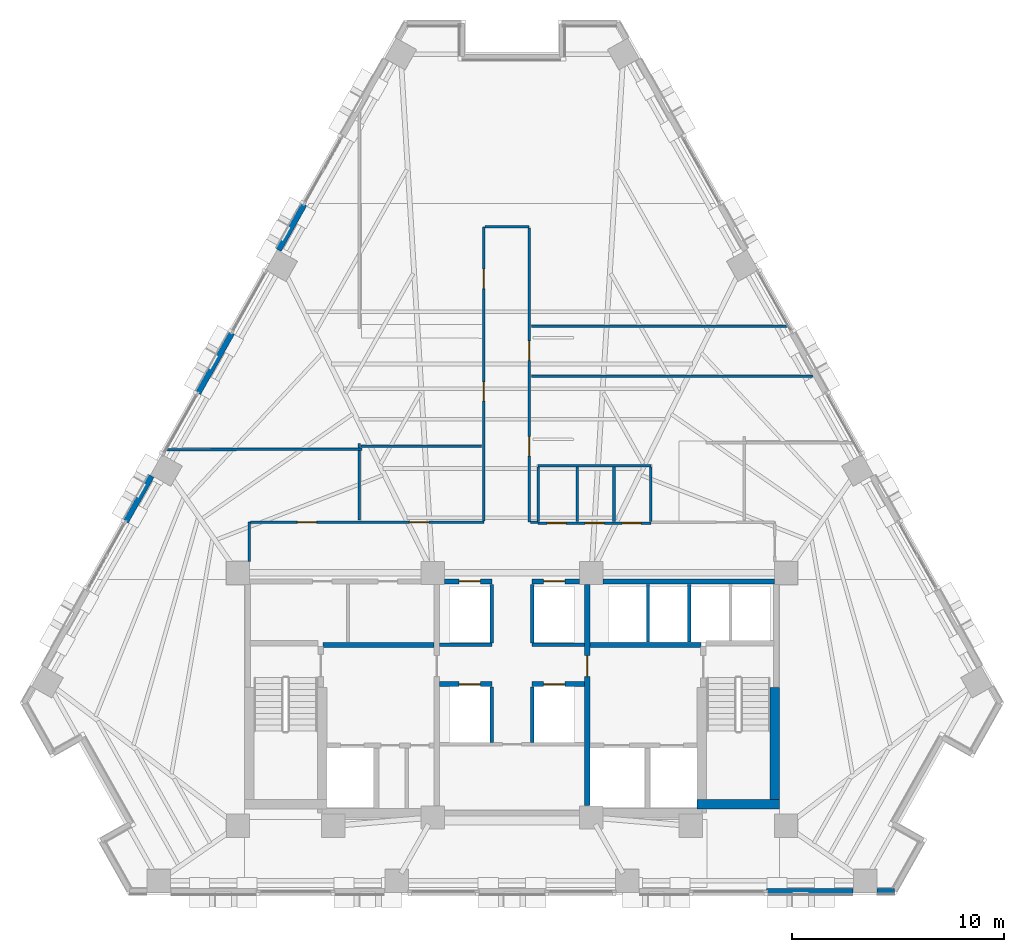
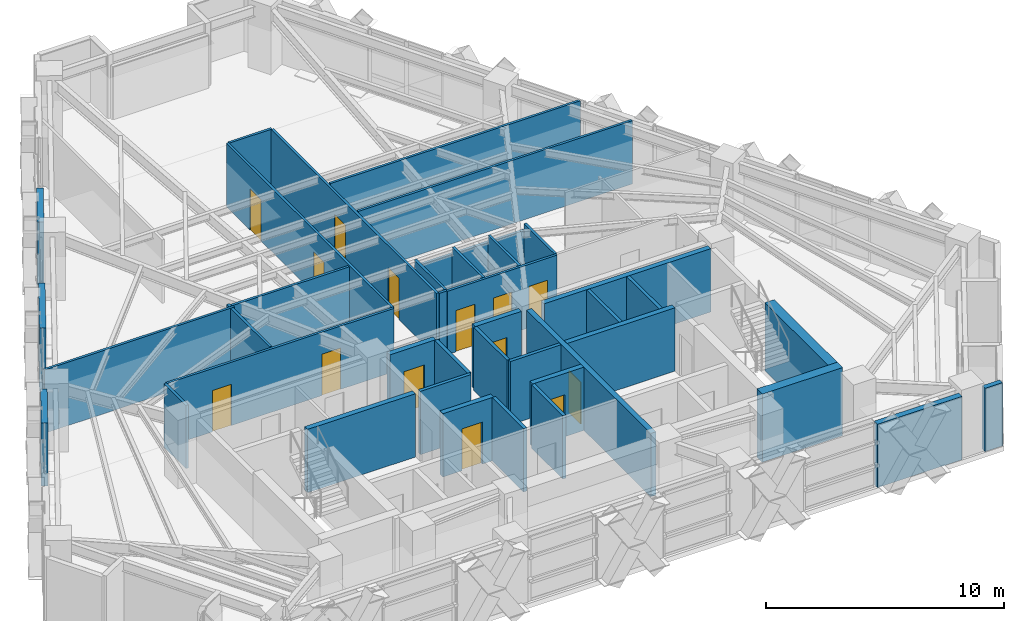
# One storey, part 8 of 14: 41 walls, 14 doors, 14 openings.
"""IFC4 building model written with IfcOpenShell, lengths in metres."""

from ifc_helpers import new_model, si_unit, direction, frame, frame_2d, origin, place, context, subcontext, project, spatial, rectangle, extrude, material, layer, layer_set, type_object, element, fill, save


model = new_model("IFC4")

# Units and contexts
model_context = context("Model", 3, precision=1e-05, world=origin(), true_north=direction((0.0, 1.0)))
body_context = subcontext(model_context, "Body", "Model", "MODEL_VIEW")
ifc_project = project(units=[si_unit("LENGTHUNIT", "METRE"), si_unit("AREAUNIT", "SQUARE_METRE"), si_unit("VOLUMEUNIT", "CUBIC_METRE"), si_unit("PLANEANGLEUNIT", "RADIAN"), si_unit("MASSUNIT", "GRAM", prefix="KILO")], contexts=[model_context])

# Site, building, storey
site_placement = place(None, origin())
site = spatial("IfcSite", under=ifc_project, at=site_placement, CompositionType="ELEMENT")
building_placement = place(site_placement, origin())
building = spatial("IfcBuilding", under=site, at=building_placement, Name="Quenlor Broadcast Tower", CompositionType="ELEMENT")
storey_placement = place(building_placement, frame((0.0, 0.0, 102.0)))
storey = spatial("IfcBuildingStorey", under=building, at=storey_placement, Name="L27", CompositionType="ELEMENT", Elevation=102.0)

# Walls
ifc_material_1 = material(Name="Concrete C50/60", Category="concrete")
ifc_layer_1 = layer(ifc_material_1, 0.449951171875)
ifc_layer_set_1 = layer_set([ifc_layer_1], Name="Core Concrete C50/60 Shear Wall 450")
wall_type_1 = type_object("IfcWallType", Name="Core Concrete C50/60 Shear Wall 450", PredefinedType="SHEAR", material=ifc_layer_set_1)
wall_1_placement = place(storey_placement, frame((8.75, -15.72509765625, 0.0), z_axis=(0.0, 0.0, 1.0), x_axis=(1.0, 0.0, 0.0)))
element("IfcWall", 1, at=wall_1_placement, inside=storey, type_object=wall_type_1, Name="L27 Core Shear Wall WS-E2", PredefinedType="SHEAR", context=body_context, shape_type="SweptSolid", body=[
    extrude(rectangle(XDim=3.89990234375, YDim=0.449951171875, at=frame_2d((1.949951171875, 0.0))), origin(), (0.0, 0.0, 1.0), 3.5),
])
wall_2_placement = place(storey_placement, frame((12.425048828125, -15.72509765625, 0.0), z_axis=(0.0, 0.0, 1.0), x_axis=(0.0, 1.0, 0.0)))
element("IfcWall", 2, at=wall_2_placement, inside=storey, type_object=wall_type_1, Name="L27 Core Shear Wall WF-E", PredefinedType="SHEAR", context=body_context, shape_type="SweptSolid", body=[
    extrude(rectangle(XDim=5.525146484375, YDim=0.449951171875, at=frame_2d((2.7626953125, 0.0))), origin(), (0.0, 0.0, 1.0), 3.5),
])
ifc_material_2 = material(Name="Concrete C40/50", Category="concrete")
ifc_layer_2 = layer(ifc_material_2, 0.25)
ifc_layer_set_2 = layer_set([ifc_layer_2], Name="Fire Rated Concrete C40/50 Core Wall 250")
wall_type_2 = type_object("IfcWallType", Name="Fire Rated Concrete C40/50 Core Wall 250", PredefinedType="PARTITIONING", material=ifc_layer_set_2)
for number, where, z_axis, x_axis, name in (
    (3, (-8.919921875, -8.199951171875, 0.0), (0.0, 0.0, 1.0), (1.0, 0.0, 0.0), "L27 Interior Wall CW-FFW-N"),
    (4, (3.679931640625, -8.199951171875, 0.0), (0.0, 0.0, 1.0), (1.0, 0.0, 0.0), "L27 Interior Wall CW-FFE-N"),
):
    element("IfcWall", number, at=place(storey_placement, frame(where, z_axis=z_axis, x_axis=x_axis)), inside=storey, type_object=wall_type_2, Name=name, PredefinedType="PARTITIONING", context=body_context, shape_type="SweptSolid", body=[
        extrude(rectangle(XDim=5.239990234375, YDim=0.25, at=frame_2d((2.6201171875, 0.0))), origin(), (0.0, 0.0, 1.0), 3.25),
    ])

# Wall, opening, door
wall_3_placement = place(storey_placement, frame((3.550048828125, -15.798095703125, 0.0), z_axis=(0.0, 0.0, 1.0), x_axis=(0.0, 1.0, 0.0)))
wall_3 = element("IfcWall", 5, at=wall_3_placement, inside=storey, type_object=wall_type_2, Name="L27 Interior Wall CW-FFE-W", PredefinedType="PARTITIONING", context=body_context, shape_type="SweptSolid", body=[
    extrude(rectangle(XDim=10.446044921875, YDim=0.25, at=frame_2d((5.22314453125, 0.0))), origin(), (0.0, 0.0, 1.0), 3.25),
])
opening_1_placement = place(wall_3_placement, frame((6.097900390625, 0.0, 0.0)))
opening_1 = element("IfcOpeningElement", 6, at=opening_1_placement, cuts=wall_3, Name="Opening FD-2", PredefinedType="OPENING", context=body_context, shape_type="SweptSolid", body=[
    extrude(rectangle(XDim=1.0, YDim=2.14990234375, at=frame_2d((0.5, 1.074951171875))), frame((0.0, 0.135009765625, 0.0), z_axis=(0.0, -1.0, 0.0), x_axis=(1.0, 0.0, 0.0)), (0.0, 0.0, 1.0), 0.27001953125),
])
ifc_material_3 = material(Name="Fire Rated Glazed Steel Door", Category="steel")
door_type_1 = type_object("IfcDoorType", Name="Firefighting Lobby Smoke Door 1000x2150", OperationType="NOTDEFINED", PredefinedType="DOOR", material=ifc_material_3)
door_1_placement = place(opening_1_placement, origin())
door_1 = element("IfcDoor", 7, at=door_1_placement, inside=storey, type_object=door_type_1, Name="L27 Door DR-FFLE", OperationType="SINGLE_SWING_LEFT", OverallHeight=2.14990234375, OverallWidth=1.0, PredefinedType="DOOR", context=body_context, shape_type="SweptSolid", body=[
    extrude(rectangle(XDim=1.0, YDim=2.14990234375, at=frame_2d((0.5, 1.074951171875))), frame((0.0, 0.02490234375, 0.0), z_axis=(0.0, -1.0, 0.0), x_axis=(1.0, 0.0, 0.0)), (0.0, 0.0, 1.0), 0.050048828125),
])
fill(opening_1, door_1)

# Wall
wall_4_placement = place(storey_placement, frame((4.302001953125, -5.199951171875, 0.0), z_axis=(0.0, 0.0, 1.0), x_axis=(1.0, 0.0, 0.0)))
element("IfcWall", 8, at=wall_4_placement, inside=storey, type_object=wall_type_2, Name="L27 Interior Wall CW-N-E", PredefinedType="PARTITIONING", context=body_context, shape_type="SweptSolid", body=[
    extrude(rectangle(XDim=8.095947265625, YDim=0.25, at=frame_2d((4.0478515625, 0.0))), origin(), (0.0, 0.0, 1.0), 3.25),
])

# Wall, opening, door
wall_5_placement = place(storey_placement, frame((-3.197998046875, -5.199951171875, 0.0), z_axis=(0.0, 0.0, 1.0), x_axis=(1.0, 0.0, 0.0)))
wall_5 = element("IfcWall", 9, at=wall_5_placement, inside=storey, type_object=wall_type_2, Name="L27 Interior Wall CW-N-M1", PredefinedType="PARTITIONING", context=body_context, shape_type="SweptSolid", body=[
    extrude(rectangle(XDim=2.248046875, YDim=0.25, at=frame_2d((1.1240234375, 0.0))), origin(), (0.0, 0.0, 1.0), 3.25),
])
opening_2_placement = place(wall_5_placement, frame((0.697998046875, 0.0, 0.0)))
opening_2 = element("IfcOpeningElement", 10, at=opening_2_placement, cuts=wall_5, Name="Opening LD-PL-M1", PredefinedType="OPENING", context=body_context, shape_type="SweptSolid", body=[
    extrude(rectangle(XDim=1.0, YDim=2.14990234375, at=frame_2d((0.5, 1.074951171875))), frame((0.0, 0.135009765625, 0.0), z_axis=(0.0, -1.0, 0.0), x_axis=(1.0, 0.0, 0.0)), (0.0, 0.0, 1.0), 0.27001953125),
])
ifc_material_4 = material(Name="Brushed Stainless Steel", Category="steel")
door_type_2 = type_object("IfcDoorType", Name="Passenger Lift Sliding Landing Door 1000x2150", OperationType="NOTDEFINED", PredefinedType="DOOR", material=ifc_material_4)
door_2_placement = place(opening_2_placement, origin())
door_2 = element("IfcDoor", 11, at=door_2_placement, inside=storey, type_object=door_type_2, Name="L27 Door LD-PL-M1", OperationType="SLIDING_TO_LEFT", OverallHeight=2.14990234375, OverallWidth=1.0, PredefinedType="DOOR", context=body_context, shape_type="SweptSolid", body=[
    extrude(rectangle(XDim=1.0, YDim=2.14990234375, at=frame_2d((0.5, 1.074951171875))), frame((0.0, 0.02490234375, 0.0), z_axis=(0.0, -1.0, 0.0), x_axis=(1.0, 0.0, 0.0)), (0.0, 0.0, 1.0), 0.050048828125),
])
fill(opening_2, door_2)

wall_6_placement = place(storey_placement, frame((0.949951171875, -5.199951171875, 0.0), z_axis=(0.0, 0.0, 1.0), x_axis=(1.0, 0.0, 0.0)))
wall_6 = element("IfcWall", 12, at=wall_6_placement, inside=storey, type_object=wall_type_2, Name="L27 Interior Wall CW-N-M2", PredefinedType="PARTITIONING", context=body_context, shape_type="SweptSolid", body=[
    extrude(rectangle(XDim=2.248046875, YDim=0.25, at=frame_2d((1.1240234375, 0.0))), origin(), (0.0, 0.0, 1.0), 3.25),
])
opening_3_placement = place(wall_6_placement, frame((0.550048828125, 0.0, 0.0)))
opening_3 = element("IfcOpeningElement", 13, at=opening_3_placement, cuts=wall_6, Name="Opening LD-PL-M2", PredefinedType="OPENING", context=body_context, shape_type="SweptSolid", body=[
    extrude(rectangle(XDim=1.0, YDim=2.14990234375, at=frame_2d((0.5, 1.074951171875))), frame((0.0, 0.135009765625, 0.0), z_axis=(0.0, -1.0, 0.0), x_axis=(1.0, 0.0, 0.0)), (0.0, 0.0, 1.0), 0.27001953125),
])
door_3_placement = place(opening_3_placement, origin())
door_3 = element("IfcDoor", 14, at=door_3_placement, inside=storey, type_object=door_type_2, Name="L27 Door LD-PL-M2", OperationType="SLIDING_TO_RIGHT", OverallHeight=2.14990234375, OverallWidth=1.0, PredefinedType="DOOR", context=body_context, shape_type="SweptSolid", body=[
    extrude(rectangle(XDim=1.0, YDim=2.14990234375, at=frame_2d((0.5, 1.074951171875))), frame((0.0, 0.02490234375, 0.0), z_axis=(0.0, -1.0, 0.0), x_axis=(1.0, 0.0, 0.0)), (0.0, 0.0, 1.0), 0.050048828125),
])
fill(opening_3, door_3)

wall_7_placement = place(storey_placement, frame((-3.419921875, -10.050048828125, 0.0), z_axis=(0.0, 0.0, 1.0), x_axis=(1.0, 0.0, 0.0)))
wall_7 = element("IfcWall", 15, at=wall_7_placement, inside=storey, type_object=wall_type_2, Name="L27 Interior Wall CW-MS-N1", PredefinedType="PARTITIONING", context=body_context, shape_type="SweptSolid", body=[
    extrude(rectangle(XDim=2.469970703125, YDim=0.25, at=frame_2d((1.23486328125, 0.0))), origin(), (0.0, 0.0, 1.0), 3.25),
])
opening_4_placement = place(wall_7_placement, frame((0.919921875, 0.0, 0.0)))
opening_4 = element("IfcOpeningElement", 16, at=opening_4_placement, cuts=wall_7, Name="Opening LD-PL-M3", PredefinedType="OPENING", context=body_context, shape_type="SweptSolid", body=[
    extrude(rectangle(XDim=1.0, YDim=2.14990234375, at=frame_2d((0.5, 1.074951171875))), frame((0.0, 0.135009765625, 0.0), z_axis=(0.0, -1.0, 0.0), x_axis=(1.0, 0.0, 0.0)), (0.0, 0.0, 1.0), 0.27001953125),
])
door_4_placement = place(opening_4_placement, origin())
door_4 = element("IfcDoor", 17, at=door_4_placement, inside=storey, type_object=door_type_2, Name="L27 Door LD-PL-M3", OperationType="SLIDING_TO_LEFT", OverallHeight=2.14990234375, OverallWidth=1.0, PredefinedType="DOOR", context=body_context, shape_type="SweptSolid", body=[
    extrude(rectangle(XDim=1.0, YDim=2.14990234375, at=frame_2d((0.5, 1.074951171875))), frame((0.0, 0.02490234375, 0.0), z_axis=(0.0, -1.0, 0.0), x_axis=(1.0, 0.0, 0.0)), (0.0, 0.0, 1.0), 0.050048828125),
])
fill(opening_4, door_4)

wall_8_placement = place(storey_placement, frame((0.949951171875, -10.050048828125, 0.0), z_axis=(0.0, 0.0, 1.0), x_axis=(1.0, 0.0, 0.0)))
wall_8 = element("IfcWall", 18, at=wall_8_placement, inside=storey, type_object=wall_type_2, Name="L27 Interior Wall CW-MS-N2", PredefinedType="PARTITIONING", context=body_context, shape_type="SweptSolid", body=[
    extrude(rectangle(XDim=2.469970703125, YDim=0.25, at=frame_2d((1.23486328125, 0.0))), origin(), (0.0, 0.0, 1.0), 3.25),
])
opening_5_placement = place(wall_8_placement, frame((0.550048828125, 0.0, 0.0)))
opening_5 = element("IfcOpeningElement", 19, at=opening_5_placement, cuts=wall_8, Name="Opening LD-PL-M4", PredefinedType="OPENING", context=body_context, shape_type="SweptSolid", body=[
    extrude(rectangle(XDim=1.0, YDim=2.14990234375, at=frame_2d((0.5, 1.074951171875))), frame((0.0, 0.135009765625, 0.0), z_axis=(0.0, -1.0, 0.0), x_axis=(1.0, 0.0, 0.0)), (0.0, 0.0, 1.0), 0.27001953125),
])
door_5_placement = place(opening_5_placement, origin())
door_5 = element("IfcDoor", 20, at=door_5_placement, inside=storey, type_object=door_type_2, Name="L27 Door LD-PL-M4", OperationType="SLIDING_TO_RIGHT", OverallHeight=2.14990234375, OverallWidth=1.0, PredefinedType="DOOR", context=body_context, shape_type="SweptSolid", body=[
    extrude(rectangle(XDim=1.0, YDim=2.14990234375, at=frame_2d((0.5, 1.074951171875))), frame((0.0, 0.02490234375, 0.0), z_axis=(0.0, -1.0, 0.0), x_axis=(1.0, 0.0, 0.0)), (0.0, 0.0, 1.0), 0.050048828125),
])
fill(opening_5, door_5)

# Walls
ifc_material_5 = material(Name="Gypsum Fireboard Partition", Category="other")
ifc_layer_3 = layer(ifc_material_5, 0.159912109375)
ifc_layer_set_3 = layer_set([ifc_layer_3], Name="Fire Rated Shaft and Corridor Partition 160")
wall_type_3 = type_object("IfcWallType", Name="Fire Rated Shaft and Corridor Partition 160", PredefinedType="PARTITIONING", material=ifc_layer_set_3)
for number, where, z_axis, x_axis, name in (
    (21, (6.425048828125, -8.072998046875, 0.0), (0.0, 0.0, 1.0), (0.0, 1.0, 0.0), "L27 Interior Wall CW-PLH-D1"),
    (22, (8.375, -8.072998046875, 0.0), (0.0, 0.0, 1.0), (0.0, 1.0, 0.0), "L27 Interior Wall CW-PLH-D2"),
):
    element("IfcWall", number, at=place(storey_placement, frame(where, z_axis=z_axis, x_axis=x_axis)), inside=storey, type_object=wall_type_3, Name=name, PredefinedType="PARTITIONING", context=body_context, shape_type="SweptSolid", body=[
        extrude(rectangle(XDim=2.73291015625, YDim=0.159912109375, at=frame_2d((1.366455078125, 0.0))), origin(), (0.0, 0.0, 1.0), 3.25),
    ])
for number, where, z_axis, x_axis, name in (
    (23, (-0.949951171875, -8.1201171875, 0.0), (0.0, 0.0, 1.0), (0.0, 1.0, 0.0), "L27 Interior Wall CW-CCRP-W"),
    (24, (0.949951171875, -8.1201171875, 0.0), (0.0, 0.0, 1.0), (0.0, 1.0, 0.0), "L27 Interior Wall CW-CCRP-E"),
):
    element("IfcWall", number, at=place(storey_placement, frame(where, z_axis=z_axis, x_axis=x_axis)), inside=storey, type_object=wall_type_3, Name=name, PredefinedType="PARTITIONING", context=body_context, shape_type="SweptSolid", body=[
        extrude(rectangle(XDim=2.780029296875, YDim=0.159912109375, at=frame_2d((1.39013671875, 0.0))), origin(), (0.0, 0.0, 1.0), 3.25),
    ])
for number, where, z_axis, x_axis, name in (
    (25, (-3.419921875, -8.199951171875, 0.0), (0.0, 0.0, 1.0), (1.0, 0.0, 0.0), "L27 Interior Wall CW-M-BACK1"),
    (26, (0.949951171875, -8.199951171875, 0.0), (0.0, 0.0, 1.0), (1.0, 0.0, 0.0), "L27 Interior Wall CW-M-BACK2"),
):
    element("IfcWall", number, at=place(storey_placement, frame(where, z_axis=z_axis, x_axis=x_axis)), inside=storey, type_object=wall_type_3, Name=name, PredefinedType="PARTITIONING", context=body_context, shape_type="SweptSolid", body=[
        extrude(rectangle(XDim=2.469970703125, YDim=0.159912109375, at=frame_2d((1.23486328125, 0.0))), origin(), (0.0, 0.0, 1.0), 3.25),
    ])
for number, where, z_axis, x_axis, name in (
    (27, (-0.949951171875, -12.818115234375, 0.0), (0.0, 0.0, 1.0), (0.0, 1.0, 0.0), "L27 Interior Wall CW-MS-W"),
    (28, (0.949951171875, -12.818115234375, 0.0), (0.0, 0.0, 1.0), (0.0, 1.0, 0.0), "L27 Interior Wall CW-MS-E"),
):
    element("IfcWall", number, at=place(storey_placement, frame(where, z_axis=z_axis, x_axis=x_axis)), inside=storey, type_object=wall_type_3, Name=name, PredefinedType="PARTITIONING", context=body_context, shape_type="SweptSolid", body=[
        extrude(rectangle(XDim=2.63818359375, YDim=0.159912109375, at=frame_2d((1.319091796875, 0.0))), origin(), (0.0, 0.0, 1.0), 3.25),
    ])

# Wall, openings, doors
ifc_material_6 = material(Name="Gypsum Plasterboard Partition", Category="other")
ifc_layer_4 = layer(ifc_material_6, 0.1201171875)
ifc_layer_set_4 = layer_set([ifc_layer_4], Name="Standard Office Partition 120")
wall_type_4 = type_object("IfcWallType", Name="Standard Office Partition 120", PredefinedType="PARTITIONING", material=ifc_layer_set_4)
wall_9_placement = place(storey_placement, frame((1.239990234375, -2.43994140625, 0.0), z_axis=(0.0, 0.0, 1.0), x_axis=(1.0, 0.0, 0.0)))
wall_9 = element("IfcWall", 29, at=wall_9_placement, inside=storey, type_object=wall_type_4, Name="L27 Interior Wall PW-WC-S", PredefinedType="PARTITIONING", context=body_context, shape_type="SweptSolid", body=[
    extrude(rectangle(XDim=5.320068359375, YDim=0.1201171875, at=frame_2d((2.66015625, 0.0))), origin(), (0.0, 0.0, 1.0), 3.25),
])
opening_6_placement = place(wall_9_placement, frame((0.419921875, 0.0, 0.0)))
opening_6 = element("IfcOpeningElement", 30, at=opening_6_placement, cuts=wall_9, Name="Opening ID-3", PredefinedType="OPENING", context=body_context, shape_type="SweptSolid", body=[
    extrude(rectangle(XDim=0.89990234375, YDim=2.1201171875, at=frame_2d((0.449951171875, 1.06005859375))), frame((0.0, 0.070068359375, 0.0), z_axis=(0.0, -1.0, 0.0), x_axis=(1.0, 0.0, 0.0)), (0.0, 0.0, 1.0), 0.14013671875),
])
opening_7_placement = place(wall_9_placement, frame((2.219970703125, 0.0, 0.0)))
opening_7 = element("IfcOpeningElement", 31, at=opening_7_placement, cuts=wall_9, Name="Opening ID-3", PredefinedType="OPENING", context=body_context, shape_type="SweptSolid", body=[
    extrude(rectangle(XDim=0.89990234375, YDim=2.1201171875, at=frame_2d((0.449951171875, 1.06005859375))), frame((0.0, 0.070068359375, 0.0), z_axis=(0.0, -1.0, 0.0), x_axis=(1.0, 0.0, 0.0)), (0.0, 0.0, 1.0), 0.14013671875),
])
opening_8_placement = place(wall_9_placement, frame((3.9599609375, 0.0, 0.0)))
opening_8 = element("IfcOpeningElement", 32, at=opening_8_placement, cuts=wall_9, Name="Opening ID-3", PredefinedType="OPENING", context=body_context, shape_type="SweptSolid", body=[
    extrude(rectangle(XDim=0.89990234375, YDim=2.1201171875, at=frame_2d((0.449951171875, 1.06005859375))), frame((0.0, 0.070068359375, 0.0), z_axis=(0.0, -1.0, 0.0), x_axis=(1.0, 0.0, 0.0)), (0.0, 0.0, 1.0), 0.14013671875),
])
ifc_material_7 = material(Name="Moisture Resistant Timber Oak", Category="wood")
door_type_3 = type_object("IfcDoorType", Name="Washroom Privacy Door 900x2120", OperationType="NOTDEFINED", PredefinedType="DOOR", material=ifc_material_7)
door_6_placement = place(opening_6_placement, origin())
door_6 = element("IfcDoor", 33, at=door_6_placement, inside=storey, type_object=door_type_3, Name="L27 Door DR-AWC", OperationType="SINGLE_SWING_LEFT", OverallHeight=2.1201171875, OverallWidth=0.89990234375, PredefinedType="DOOR", context=body_context, shape_type="SweptSolid", body=[
    extrude(rectangle(XDim=0.89990234375, YDim=2.1201171875, at=frame_2d((0.449951171875, 1.06005859375))), frame((0.0, 0.02490234375, 0.0), z_axis=(0.0, -1.0, 0.0), x_axis=(1.0, 0.0, 0.0)), (0.0, 0.0, 1.0), 0.050048828125),
])
fill(opening_6, door_6)
door_7_placement = place(opening_7_placement, origin())
door_7 = element("IfcDoor", 34, at=door_7_placement, inside=storey, type_object=door_type_3, Name="L27 Door DR-MWC", OperationType="SINGLE_SWING_LEFT", OverallHeight=2.1201171875, OverallWidth=0.89990234375, PredefinedType="DOOR", context=body_context, shape_type="SweptSolid", body=[
    extrude(rectangle(XDim=0.89990234375, YDim=2.1201171875, at=frame_2d((0.449951171875, 1.06005859375))), frame((0.0, 0.02490234375, 0.0), z_axis=(0.0, -1.0, 0.0), x_axis=(1.0, 0.0, 0.0)), (0.0, 0.0, 1.0), 0.050048828125),
])
fill(opening_7, door_7)
door_8_placement = place(opening_8_placement, origin())
door_8 = element("IfcDoor", 35, at=door_8_placement, inside=storey, type_object=door_type_3, Name="L27 Door DR-FWC", OperationType="SINGLE_SWING_RIGHT", OverallHeight=2.1201171875, OverallWidth=0.89990234375, PredefinedType="DOOR", context=body_context, shape_type="SweptSolid", body=[
    extrude(rectangle(XDim=0.89990234375, YDim=2.1201171875, at=frame_2d((0.449951171875, 1.06005859375))), frame((0.0, 0.02490234375, 0.0), z_axis=(0.0, -1.0, 0.0), x_axis=(1.0, 0.0, 0.0)), (0.0, 0.0, 1.0), 0.050048828125),
])
fill(opening_8, door_8)

# Walls
wall_10_placement = place(storey_placement, frame((1.239990234375, 0.260009765625, 0.0), z_axis=(0.0, 0.0, 1.0), x_axis=(1.0, 0.0, 0.0)))
element("IfcWall", 36, at=wall_10_placement, inside=storey, type_object=wall_type_4, Name="L27 Interior Wall PW-WC-N", PredefinedType="PARTITIONING", context=body_context, shape_type="SweptSolid", body=[
    extrude(rectangle(XDim=5.320068359375, YDim=0.1201171875, at=frame_2d((2.66015625, 0.0))), origin(), (0.0, 0.0, 1.0), 2.891357421875),
])
for number, where, z_axis, x_axis, name in (
    (37, (1.239990234375, -2.3779296875, 0.0), (0.0, 0.0, 1.0), (0.0, 1.0, 0.0), "L27 Interior Wall PW-WC-W"),
    (38, (3.080078125, -2.3779296875, 0.0), (0.0, 0.0, 1.0), (0.0, 1.0, 0.0), "L27 Interior Wall PW-WC-M1"),
    (39, (4.820068359375, -2.3779296875, 0.0), (0.0, 0.0, 1.0), (0.0, 1.0, 0.0), "L27 Interior Wall PW-WC-M2"),
    (40, (6.56005859375, -2.3779296875, 0.0), (0.0, 0.0, 1.0), (0.0, 1.0, 0.0), "L27 Interior Wall PW-WC-E"),
):
    element("IfcWall", number, at=place(storey_placement, frame(where, z_axis=z_axis, x_axis=x_axis)), inside=storey, type_object=wall_type_4, Name=name, PredefinedType="PARTITIONING", context=body_context, shape_type="SweptSolid", body=[
        extrude(rectangle(XDim=2.575927734375, YDim=0.1201171875, at=frame_2d((1.2880859375, 0.0))), origin(), (0.0, 0.0, 1.0), 3.25),
    ])
wall_11_placement = place(storey_placement, frame((-12.409912109375, -4.248046875, 0.0), z_axis=(0.0, 0.0, 1.0), x_axis=(0.0, 1.0, 0.0)))
element("IfcWall", 41, at=wall_11_placement, inside=storey, type_object=wall_type_4, Name="L27 Interior Wall PW-CR-01", PredefinedType="PARTITIONING", context=body_context, shape_type="SweptSolid", body=[
    extrude(rectangle(XDim=1.84814453125, YDim=0.1201171875, at=frame_2d((0.924072265625, 0.0))), origin(), (0.0, 0.0, 1.0), 3.25),
])

# Wall, openings, doors
wall_12_placement = place(storey_placement, frame((-12.347900390625, -2.39990234375, 0.0), z_axis=(0.0, 0.0, 1.0), x_axis=(1.0, 0.0, 0.0)))
wall_12 = element("IfcWall", 42, at=wall_12_placement, inside=storey, type_object=wall_type_4, Name="L27 Interior Wall PW-CR-02", PredefinedType="PARTITIONING", context=body_context, shape_type="SweptSolid", body=[
    extrude(rectangle(XDim=11.017822265625, YDim=0.1201171875, at=frame_2d((5.5087890625, 0.0))), origin(), (0.0, 0.0, 1.0), 3.25),
])
opening_9_placement = place(wall_12_placement, frame((7.50390625, 0.0, 0.0)))
opening_9 = element("IfcOpeningElement", 43, at=opening_9_placement, cuts=wall_12, Name="Opening ID-1", PredefinedType="OPENING", context=body_context, shape_type="SweptSolid", body=[
    extrude(rectangle(XDim=0.919921875, YDim=2.1201171875, at=frame_2d((0.4599609375, 1.06005859375))), frame((0.0, 0.070068359375, 0.0), z_axis=(0.0, -1.0, 0.0), x_axis=(1.0, 0.0, 0.0)), (0.0, 0.0, 1.0), 0.14013671875),
])
opening_10_placement = place(wall_12_placement, frame((2.201904296875, 0.0, 0.0)))
opening_10 = element("IfcOpeningElement", 44, at=opening_10_placement, cuts=wall_12, Name="Opening ID-1", PredefinedType="OPENING", context=body_context, shape_type="SweptSolid", body=[
    extrude(rectangle(XDim=0.919921875, YDim=2.1201171875, at=frame_2d((0.4599609375, 1.06005859375))), frame((0.0, 0.070068359375, 0.0), z_axis=(0.0, -1.0, 0.0), x_axis=(1.0, 0.0, 0.0)), (0.0, 0.0, 1.0), 0.14013671875),
])
ifc_material_8 = material(Name="Solid Core Timber Oak", Category="wood")
door_type_4 = type_object("IfcDoorType", Name="Single Leaf Timber Office Door 920x2120", OperationType="NOTDEFINED", PredefinedType="DOOR", material=ifc_material_8)
door_9_placement = place(opening_9_placement, origin())
door_9 = element("IfcDoor", 45, at=door_9_placement, inside=storey, type_object=door_type_4, Name="L27 Door DR-RM06", OperationType="SINGLE_SWING_RIGHT", OverallHeight=2.1201171875, OverallWidth=0.919921875, PredefinedType="DOOR", context=body_context, shape_type="SweptSolid", body=[
    extrude(rectangle(XDim=0.919921875, YDim=2.1201171875, at=frame_2d((0.4599609375, 1.06005859375))), frame((0.0, 0.02490234375, 0.0), z_axis=(0.0, -1.0, 0.0), x_axis=(1.0, 0.0, 0.0)), (0.0, 0.0, 1.0), 0.050048828125),
])
fill(opening_9, door_9)
door_10_placement = place(opening_10_placement, origin())
door_10 = element("IfcDoor", 46, at=door_10_placement, inside=storey, type_object=door_type_4, Name="L27 Door DR-RM08", OperationType="SINGLE_SWING_RIGHT", OverallHeight=2.1201171875, OverallWidth=0.919921875, PredefinedType="DOOR", context=body_context, shape_type="SweptSolid", body=[
    extrude(rectangle(XDim=0.919921875, YDim=2.1201171875, at=frame_2d((0.4599609375, 1.06005859375))), frame((0.0, 0.02490234375, 0.0), z_axis=(0.0, -1.0, 0.0), x_axis=(1.0, 0.0, 0.0)), (0.0, 0.0, 1.0), 0.050048828125),
])
fill(opening_10, door_10)

wall_13_placement = place(storey_placement, frame((-1.330078125, -2.337890625, 0.0), z_axis=(0.0, 0.0, 1.0), x_axis=(0.0, 1.0, 0.0)))
wall_13 = element("IfcWall", 47, at=wall_13_placement, inside=storey, type_object=wall_type_4, Name="L27 Interior Wall PW-CR-03", PredefinedType="PARTITIONING", context=body_context, shape_type="SweptSolid", body=[
    extrude(rectangle(XDim=13.887939453125, YDim=0.1201171875, at=frame_2d((6.94384765625, 0.0))), origin(), (0.0, 0.0, 1.0), 3.25),
])
opening_11_placement = place(wall_13_placement, frame((10.971923828125, 0.0, 0.0)))
opening_11 = element("IfcOpeningElement", 48, at=opening_11_placement, cuts=wall_13, Name="Opening ID-1", PredefinedType="OPENING", context=body_context, shape_type="SweptSolid", body=[
    extrude(rectangle(XDim=0.919921875, YDim=2.1201171875, at=frame_2d((0.4599609375, 1.06005859375))), frame((0.0, 0.070068359375, 0.0), z_axis=(0.0, -1.0, 0.0), x_axis=(1.0, 0.0, 0.0)), (0.0, 0.0, 1.0), 0.14013671875),
])
opening_12_placement = place(wall_13_placement, frame((5.653076171875, 0.0, 0.0)))
opening_12 = element("IfcOpeningElement", 49, at=opening_12_placement, cuts=wall_13, Name="Opening ID-1", PredefinedType="OPENING", context=body_context, shape_type="SweptSolid", body=[
    extrude(rectangle(XDim=0.919921875, YDim=2.1201171875, at=frame_2d((0.4599609375, 1.06005859375))), frame((0.0, 0.070068359375, 0.0), z_axis=(0.0, -1.0, 0.0), x_axis=(1.0, 0.0, 0.0)), (0.0, 0.0, 1.0), 0.14013671875),
])
door_11_placement = place(opening_11_placement, origin())
door_11 = element("IfcDoor", 50, at=door_11_placement, inside=storey, type_object=door_type_4, Name="L27 Door DR-RM01", OperationType="SINGLE_SWING_LEFT", OverallHeight=2.1201171875, OverallWidth=0.919921875, PredefinedType="DOOR", context=body_context, shape_type="SweptSolid", body=[
    extrude(rectangle(XDim=0.919921875, YDim=2.1201171875, at=frame_2d((0.4599609375, 1.06005859375))), frame((0.0, 0.02490234375, 0.0), z_axis=(0.0, -1.0, 0.0), x_axis=(1.0, 0.0, 0.0)), (0.0, 0.0, 1.0), 0.050048828125),
])
fill(opening_11, door_11)
door_12_placement = place(opening_12_placement, origin())
door_12 = element("IfcDoor", 51, at=door_12_placement, inside=storey, type_object=door_type_4, Name="L27 Door DR-RM02", OperationType="SINGLE_SWING_RIGHT", OverallHeight=2.1201171875, OverallWidth=0.919921875, PredefinedType="DOOR", context=body_context, shape_type="SweptSolid", body=[
    extrude(rectangle(XDim=0.919921875, YDim=2.1201171875, at=frame_2d((0.4599609375, 1.06005859375))), frame((0.0, 0.02490234375, 0.0), z_axis=(0.0, -1.0, 0.0), x_axis=(1.0, 0.0, 0.0)), (0.0, 0.0, 1.0), 0.050048828125),
])
fill(opening_12, door_12)

# Wall
wall_14_placement = place(storey_placement, frame((-1.26806640625, 11.550048828125, 0.0), z_axis=(0.0, 0.0, 1.0), x_axis=(1.0, 0.0, 0.0)))
element("IfcWall", 52, at=wall_14_placement, inside=storey, type_object=wall_type_4, Name="L27 Interior Wall PW-CR-04", PredefinedType="PARTITIONING", context=body_context, shape_type="SweptSolid", body=[
    extrude(rectangle(XDim=2.078125, YDim=0.1201171875, at=frame_2d((1.0390625, 0.0))), origin(), (0.0, 0.0, 1.0), 3.25),
])

# Wall, openings, doors
wall_15_placement = place(storey_placement, frame((0.81005859375, 11.488037109375, 0.0), z_axis=(0.0, 0.0, 1.0), x_axis=(0.0, -1.0, 0.0)))
wall_15 = element("IfcWall", 53, at=wall_15_placement, inside=storey, type_object=wall_type_4, Name="L27 Interior Wall PW-CR-05", PredefinedType="PARTITIONING", context=body_context, shape_type="SweptSolid", body=[
    extrude(rectangle(XDim=13.887939453125, YDim=0.1201171875, at=frame_2d((6.94384765625, 0.0))), origin(), (0.0, 0.0, 1.0), 3.25),
])
opening_13_placement = place(wall_15_placement, frame((5.326904296875, 0.0, 0.0)))
opening_13 = element("IfcOpeningElement", 54, at=opening_13_placement, cuts=wall_15, Name="Opening ID-1", PredefinedType="OPENING", context=body_context, shape_type="SweptSolid", body=[
    extrude(rectangle(XDim=0.919921875, YDim=2.1201171875, at=frame_2d((0.4599609375, 1.06005859375))), frame((0.0, 0.070068359375, 0.0), z_axis=(0.0, -1.0, 0.0), x_axis=(1.0, 0.0, 0.0)), (0.0, 0.0, 1.0), 0.14013671875),
])
opening_14_placement = place(wall_15_placement, frame((9.845947265625, 0.0, 0.0)))
opening_14 = element("IfcOpeningElement", 55, at=opening_14_placement, cuts=wall_15, Name="Opening ID-1", PredefinedType="OPENING", context=body_context, shape_type="SweptSolid", body=[
    extrude(rectangle(XDim=0.919921875, YDim=2.1201171875, at=frame_2d((0.4599609375, 1.06005859375))), frame((0.0, 0.070068359375, 0.0), z_axis=(0.0, -1.0, 0.0), x_axis=(1.0, 0.0, 0.0)), (0.0, 0.0, 1.0), 0.14013671875),
])
door_13_placement = place(opening_13_placement, origin())
door_13 = element("IfcDoor", 56, at=door_13_placement, inside=storey, type_object=door_type_4, Name="L27 Door DR-RM03", OperationType="SINGLE_SWING_LEFT", OverallHeight=2.1201171875, OverallWidth=0.919921875, PredefinedType="DOOR", context=body_context, shape_type="SweptSolid", body=[
    extrude(rectangle(XDim=0.919921875, YDim=2.1201171875, at=frame_2d((0.4599609375, 1.06005859375))), frame((0.0, 0.02490234375, 0.0), z_axis=(0.0, -1.0, 0.0), x_axis=(1.0, 0.0, 0.0)), (0.0, 0.0, 1.0), 0.050048828125),
])
fill(opening_13, door_13)
door_14_placement = place(opening_14_placement, origin())
door_14 = element("IfcDoor", 57, at=door_14_placement, inside=storey, type_object=door_type_4, Name="L27 Door DR-RM04", OperationType="SINGLE_SWING_RIGHT", OverallHeight=2.1201171875, OverallWidth=0.919921875, PredefinedType="DOOR", context=body_context, shape_type="SweptSolid", body=[
    extrude(rectangle(XDim=0.919921875, YDim=2.1201171875, at=frame_2d((0.4599609375, 1.06005859375))), frame((0.0, 0.02490234375, 0.0), z_axis=(0.0, -1.0, 0.0), x_axis=(1.0, 0.0, 0.0)), (0.0, 0.0, 1.0), 0.050048828125),
])
fill(opening_14, door_14)

# Walls
wall_16_placement = place(storey_placement, frame((0.8720703125, -2.39990234375, 0.0), z_axis=(0.0, 0.0, 1.0), x_axis=(1.0, 0.0, 0.0)))
element("IfcWall", 58, at=wall_16_placement, inside=storey, type_object=wall_type_4, Name="L27 Interior Wall PW-CR-06", PredefinedType="PARTITIONING", context=body_context, shape_type="SweptSolid", body=[
    extrude(rectangle(XDim=0.365966796875, YDim=0.1201171875, at=frame_2d((0.18310546875, 0.0))), origin(), (0.0, 0.0, 1.0), 3.25),
])
wall_17_placement = place(storey_placement, frame((13.04833984375, 6.8564453125, 0.0), z_axis=(0.0, 0.0, 1.0), x_axis=(-1.0, 0.0, 0.0)))
element("IfcWall", 59, at=wall_17_placement, inside=storey, type_object=wall_type_4, Name="L27 Interior Wall PW-DV-02", PredefinedType="PARTITIONING", context=body_context, shape_type="SweptSolid", body=[
    extrude(rectangle(XDim=12.12841796875, YDim=0.1201171875, at=frame_2d((6.064208984375, 0.0))), origin(), (0.0, 0.0, 1.0), 3.25),
])
wall_18_placement = place(storey_placement, frame((-1.43994140625, 1.179931640625, 0.0), z_axis=(0.0, 0.0, 1.0), x_axis=(-1.0, 0.0, 0.0)))
element("IfcWall", 60, at=wall_18_placement, inside=storey, type_object=wall_type_4, Name="L27 Interior Wall PW-DV-03", PredefinedType="PARTITIONING", context=body_context, shape_type="SweptSolid", body=[
    extrude(rectangle(XDim=5.70458984375, YDim=0.1201171875, at=frame_2d((2.852294921875, 0.0))), origin(), (0.0, 0.0, 1.0), 3.25),
])
wall_19_placement = place(storey_placement, frame((-7.080078125, 1.044677734375, 0.0), z_axis=(0.0, 0.0, 1.0), x_axis=(-0.999998659895, -0.001637134401, 0.0)))
element("IfcWall", 61, at=wall_19_placement, inside=storey, type_object=wall_type_4, Name="L27 Interior Wall PW-DV-04", PredefinedType="PARTITIONING", context=body_context, shape_type="SweptSolid", body=[
    extrude(rectangle(XDim=9.245849609375, YDim=0.1201171875, at=frame_2d((4.623046875, 0.0))), origin(), (0.0, 0.0, 1.0), 3.25),
])
wall_20_placement = place(storey_placement, frame((14.219482421875, 4.5048828125, 0.0), z_axis=(0.0, 0.0, 1.0), x_axis=(-1.0, 0.0, 0.0)))
element("IfcWall", 62, at=wall_20_placement, inside=storey, type_object=wall_type_4, Name="L27 Interior Wall PW-DV-05", PredefinedType="PARTITIONING", context=body_context, shape_type="SweptSolid", body=[
    extrude(rectangle(XDim=13.299560546875, YDim=0.1201171875, at=frame_2d((6.64990234375, 0.0))), origin(), (0.0, 0.0, 1.0), 3.25),
])
wall_21_placement = place(storey_placement, frame((-7.219970703125, -2.2900390625, 0.0), z_axis=(0.0, 0.0, 1.0), x_axis=(0.0, 1.0, 0.0)))
element("IfcWall", 63, at=wall_21_placement, inside=storey, type_object=wall_type_4, Name="L27 Interior Wall PW-DV-09", PredefinedType="PARTITIONING", context=body_context, shape_type="SweptSolid", body=[
    extrude(rectangle(XDim=3.2724609375, YDim=0.1201171875, at=frame_2d((1.63623046875, 0.0))), origin(), (0.0, 0.0, 1.0), 3.25),
])
wall_22_placement = place(storey_placement, frame((-7.219970703125, 1.1064453125, 0.0), z_axis=(0.0, 0.0, 1.0), x_axis=(0.0, 1.0, 0.0)))
element("IfcWall", 64, at=wall_22_placement, inside=storey, type_object=wall_type_4, Name="L27 Interior Wall PW-DV-09S2", PredefinedType="PARTITIONING", context=body_context, shape_type="SweptSolid", body=[
    extrude(rectangle(XDim=0.213623046875, YDim=0.1201171875, at=frame_2d((0.10693359375, 0.0))), origin(), (0.0, 0.0, 1.0), 3.25),
])
ifc_material_9 = material(Name="Precast concrete C40/50", Category="concrete")
ifc_layer_5 = layer(ifc_material_9, 0.239990234375)
ifc_layer_set_5 = layer_set([ifc_layer_5], Name="Terrace Threshold Precast Concrete C40/50 Wall 240")
wall_type_5 = type_object("IfcWallType", Name="Terrace Threshold Precast Concrete C40/50 Wall 240", PredefinedType="STANDARD", material=ifc_layer_set_5)
wall_23_placement = place(storey_placement, frame((18.083984375, -19.840087890625, 0.0), z_axis=(0.0, 0.0, 1.0), x_axis=(-1.0, 0.0, 0.0)))
element("IfcWall", 65, at=wall_23_placement, inside=storey, type_object=wall_type_5, Name="L27 Exterior Wall L27-SHD-SS0", PredefinedType="STANDARD", context=body_context, shape_type="SweptSolid", body=[
    extrude(rectangle(XDim=0.83642578125, YDim=0.239990234375, at=frame_2d((0.418212890625, 0.0))), origin(), (0.0, 0.0, 1.0), 3.25),
])
ifc_material_10 = material(Name="Precast concrete C40/50", Category="concrete")
ifc_layer_6 = layer(ifc_material_10, 0.280029296875)
ifc_layer_set_6 = layer_set([ifc_layer_6], Name="Terracotta Precast Concrete C40/50 Facade Wall 280")
wall_type_6 = type_object("IfcWallType", Name="Terracotta Precast Concrete C40/50 Facade Wall 280", PredefinedType="STANDARD", material=ifc_layer_set_6)
wall_24_placement = place(storey_placement, frame((16.117431640625, -19.840087890625, 0.0), z_axis=(0.0, 0.0, 1.0), x_axis=(-1.0, 0.0, 0.0)))
element("IfcWall", 66, at=wall_24_placement, inside=storey, type_object=wall_type_6, Name="L27 Exterior Wall L27-SA-SP1", PredefinedType="STANDARD", context=body_context, shape_type="SweptSolid", body=[
    extrude(rectangle(XDim=4.09814453125, YDim=0.280029296875, at=frame_2d((2.049072265625, 0.0))), origin(), (0.0, 0.0, 1.0), 3.25),
])
for number, where, z_axis, x_axis, name in (
    (67, (-18.251708984375, -2.374267578125, 0.0), (0.0, 0.0, 1.0), (0.490186269625, 0.871617703509, 0.0), "L27 Exterior Wall L27-NWA-SP2"),
    (68, (-11.031982421875, 10.461181640625, 0.0), (0.0, 0.0, 1.0), (0.490303410255, 0.871551814807, 0.0), "L27 Exterior Wall L27-NWC-SP1"),
):
    element("IfcWall", number, at=place(storey_placement, frame(where, z_axis=z_axis, x_axis=x_axis)), inside=storey, type_object=wall_type_6, Name=name, PredefinedType="STANDARD", context=body_context, shape_type="SweptSolid", body=[
        extrude(rectangle(XDim=2.473876953125, YDim=0.280029296875, at=frame_2d((1.23681640625, 0.0))), origin(), (0.0, 0.0, 1.0), 3.25),
    ])
wall_25_placement = place(storey_placement, frame((-14.8388671875, 3.693603515625, 0.0), z_axis=(0.0, 0.0, 1.0), x_axis=(0.490310760781, 0.871547679626, 0.0)))
element("IfcWall", 69, at=wall_25_placement, inside=storey, type_object=wall_type_6, Name="L27 Exterior Wall L27-NW-SP1", PredefinedType="STANDARD", context=body_context, shape_type="SweptSolid", body=[
    extrude(rectangle(XDim=3.27685546875, YDim=0.280029296875, at=frame_2d((1.638427734375, 0.0))), origin(), (0.0, 0.0, 1.0), 3.25),
])

save(model, "model.ifc")
